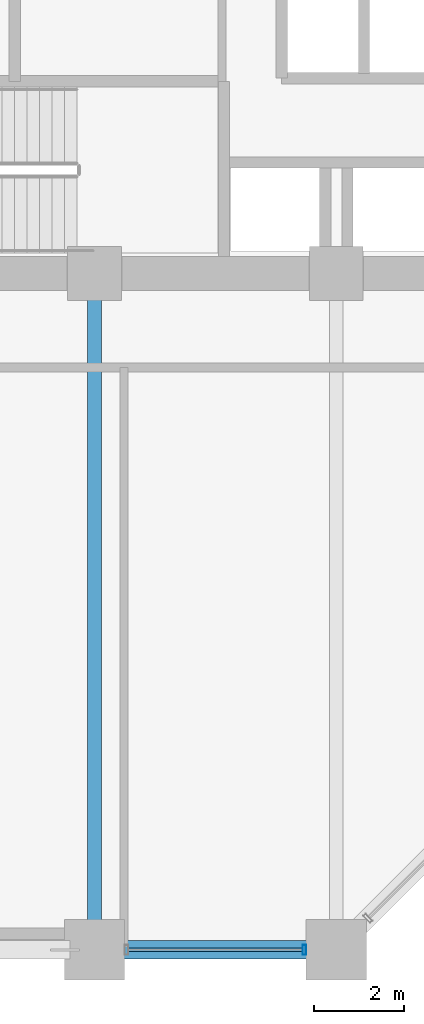
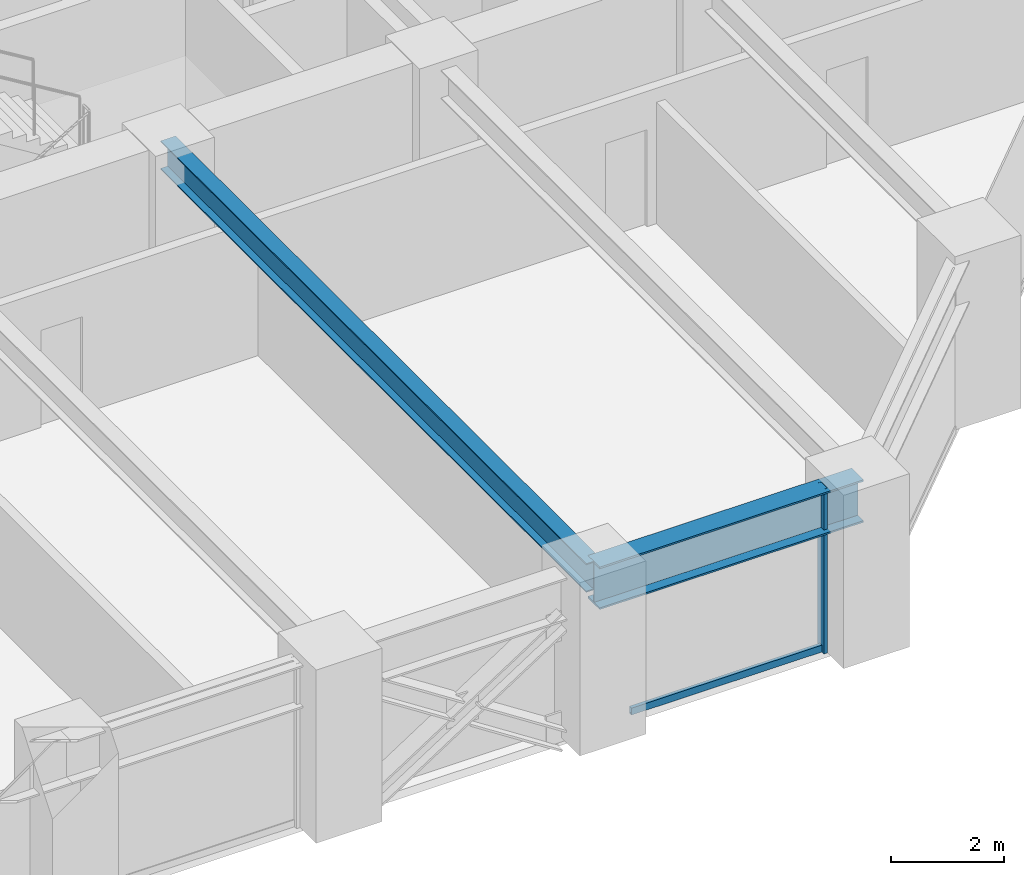
# One storey, part 5 of 24: 2 beams, 2 members, 1 element without a shape of its own.
"""IFC4 building model written with IfcOpenShell, lengths in metres."""

import ifcopenshell
import ifcopenshell.guid

model = None  # the IFC model being written
_history = None  # IfcOwnerHistory: only IFC2X3 demands one
_inside = {}  # id of a spatial element -> (the spatial element, [elements in it])
_under = {}  # id of a project, library or spatial element -> (it, [spatial elements below it])
_declared = {}  # id of a project -> (the project, [libraries it declares])
_typed = {}  # id of a type object -> (the type object, [elements of that type])
_made_of = {}  # id of a material, layer set ... -> (it, [elements and type objects made of it])


def new_model(schema):
    """Start an empty IFC model of exactly this schema.

    Asked for "IFC4X3", IfcOpenShell would pick the latest addendum, in which some entities
    have other attributes; the version numbers below select the first issue.
    IFC2X3 requires an IfcOwnerHistory on every rooted entity: one is made here for all.
    """
    global model, _history
    if schema == "IFC4X3":
        model = ifcopenshell.file(schema_version=(4, 3, 0, 0))
    else:
        model = ifcopenshell.file(schema=schema)
    _inside.clear()
    _under.clear()
    _declared.clear()
    _typed.clear()
    _made_of.clear()
    _history = None
    if model.schema == "IFC2X3":
        org = make("IfcOrganization", Name="unknown")
        user = make(
            "IfcPersonAndOrganization",
            ThePerson=make("IfcPerson", FamilyName="unknown"),
            TheOrganization=org,
        )
        app = make(
            "IfcApplication",
            ApplicationDeveloper=org,
            Version="unknown",
            ApplicationFullName="unknown",
            ApplicationIdentifier="unknown",
        )
        _history = make(
            "IfcOwnerHistory",
            OwningUser=user,
            OwningApplication=app,
            ChangeAction="ADDED",
            CreationDate=0,
        )
    return model


def make(cls, **values):
    """One entity of the class cls with the attributes given. An attribute that is None is left unset."""
    return model.create_entity(
        cls, **{name: value for name, value in values.items() if value is not None}
    )


def rooted(cls, **values):
    """An entity with a GlobalId (a new one), such as an element, a storey or a relation."""
    return make(cls, GlobalId=ifcopenshell.guid.new(), OwnerHistory=_history, **values)


def si_unit(unit_type, name, prefix=None):
    """IfcSIUnit, for example si_unit("LENGTHUNIT", "METRE", prefix="MILLI")."""
    return make("IfcSIUnit", UnitType=unit_type, Prefix=prefix, Name=name)


def assignment(units):
    """IfcUnitAssignment: the units of a project."""
    return None if units is None else make("IfcUnitAssignment", Units=units)


def point(xyz):
    """IfcCartesianPoint."""
    return None if xyz is None else make("IfcCartesianPoint", Coordinates=xyz)


def direction(xyz):
    """IfcDirection."""
    return None if xyz is None else make("IfcDirection", DirectionRatios=xyz)


def frame(location, z_axis=None, x_axis=None):
    """IfcAxis2Placement3D, a coordinate frame: its origin and axes. An axis left out is left unset."""
    return make(
        "IfcAxis2Placement3D",
        Location=point(location),
        Axis=direction(z_axis),
        RefDirection=direction(x_axis),
    )


def frame_2d(location, x_axis=None):
    """IfcAxis2Placement2D, a coordinate frame in the plane: its origin and x axis."""
    return make(
        "IfcAxis2Placement2D", Location=point(location), RefDirection=direction(x_axis)
    )


def origin():
    """The frame at (0, 0, 0) with its axes left unset."""
    return frame((0.0, 0.0, 0.0))


def origin_2d():
    """The frame at (0, 0) in the plane with its x axis left unset."""
    return frame_2d((0.0, 0.0))


def place(relative_to, where):
    """IfcLocalPlacement: puts the frame where relative to a parent placement (None: the world)."""
    return make(
        "IfcLocalPlacement", PlacementRelTo=relative_to, RelativePlacement=where
    )


def context(
    kind, dimensions, precision=None, world=None, true_north=None, identifier=None
):
    """IfcGeometricRepresentationContext, for example the 3D "Model" context."""
    return make(
        "IfcGeometricRepresentationContext",
        ContextIdentifier=identifier,
        ContextType=kind,
        CoordinateSpaceDimension=dimensions,
        Precision=precision,
        WorldCoordinateSystem=world,
        TrueNorth=true_north,
    )


def subcontext(parent, identifier, kind, view, scale=None):
    """IfcGeometricRepresentationSubContext, for example "Body" below "Model"."""
    return make(
        "IfcGeometricRepresentationSubContext",
        ContextIdentifier=identifier,
        ContextType=kind,
        ParentContext=parent,
        TargetScale=scale,
        TargetView=view,
    )


def project(units=None, contexts=None):
    """IfcProject with its units and contexts."""
    return rooted(
        "IfcProject",
        Name="project",
        RepresentationContexts=contexts,
        UnitsInContext=assignment(units),
    )


def spatial(cls, under=None, at=None, **own):
    """A site, building, storey or space (cls), placed at a placement, below another one or the project."""
    s = rooted(cls, ObjectPlacement=at, **own)
    if under is not None:
        _under.setdefault(under.id(), (under, []))[1].append(s)
    return s


def profile(cls, at=None, kind="AREA", **sizes):
    """A parametric profile (cls). Its sizes go by their IFC names, for example OverallWidth=200.0."""
    return make(cls, ProfileType=kind, Position=at, **sizes)


def hollow_rectangle(**sizes):
    """IfcRectangleHollowProfileDef."""
    return profile("IfcRectangleHollowProfileDef", **sizes)


def i_section(**sizes):
    """IfcIShapeProfileDef."""
    return profile("IfcIShapeProfileDef", **sizes)


def extrude(swept, where, along, depth):
    """IfcExtrudedAreaSolid: the profile swept, set in the frame where, extruded along a direction by depth."""
    return make(
        "IfcExtrudedAreaSolid",
        SweptArea=swept,
        Position=where,
        ExtrudedDirection=direction(along),
        Depth=depth,
    )


def shape(context_of_items, identifier, shape_type, items):
    """IfcShapeRepresentation: the items that make up one representation, for example the "Body"."""
    return make(
        "IfcShapeRepresentation",
        ContextOfItems=context_of_items,
        RepresentationIdentifier=identifier,
        RepresentationType=shape_type,
        Items=items,
    )


def material(Name=None, Category=None):
    """IfcMaterial."""
    return make("IfcMaterial", Name=Name, Category=Category)


def layer(
    of_material, thickness, ventilated=None, Name=None, Category=None, Priority=None
):
    """IfcMaterialLayer: one layer of a wall or slab, of a material (None: an air gap)."""
    return make(
        "IfcMaterialLayer",
        Material=of_material,
        LayerThickness=thickness,
        IsVentilated=ventilated,
        Name=Name,
        Category=Category,
        Priority=Priority,
    )


def layer_set(layers, Name=None):
    """IfcMaterialLayerSet."""
    return make("IfcMaterialLayerSet", MaterialLayers=layers, LayerSetName=Name)


def material_profile(
    of_material, cross_section, Name=None, Category=None, Priority=None
):
    """IfcMaterialProfile: a cross section and its material."""
    return make(
        "IfcMaterialProfile",
        Name=Name,
        Material=of_material,
        Profile=cross_section,
        Priority=Priority,
        Category=Category,
    )


def profile_set(profiles, Name=None, composite=None):
    """IfcMaterialProfileSet."""
    return make(
        "IfcMaterialProfileSet",
        Name=Name,
        MaterialProfiles=profiles,
        CompositeProfile=composite,
    )


def made_of(thing, what):
    """Note that an element or type object is made of a material, layer set ...; save() writes the relation."""
    if what is not None:
        _made_of.setdefault(what.id(), (what, []))[1].append(thing)
    return thing


def type_object(cls, material=None, **own):
    """A type object (cls), such as IfcWallType, which elements share."""
    return made_of(rooted(cls, **own), material)


def element(
    cls,
    number,
    at=None,
    inside=None,
    cuts=None,
    type_object=None,
    material=None,
    context=None,
    identifier="Body",
    shape_type=None,
    held_by="IfcProductDefinitionShape",
    body=None,
    shapes=None,
    **own,
):
    """One element of the class cls, such as IfcWall. Its Tag is "e" and its number.

    at: its placement. inside: the storey or other place that contains it. cuts: it is an
    opening in that element (IfcRelVoidsElement). A single representation is given by context,
    identifier, shape_type and body (its items); several are given by shapes. held_by: the class
    of the entity that holds the representations. save() writes the other relations.
    """
    e = rooted(cls, Tag="e%d" % number, ObjectPlacement=at, **own)
    if body is not None:
        shapes = [shape(context, identifier, shape_type, body)]
    if shapes is not None:
        e.Representation = make(held_by, Representations=shapes)
    if inside is not None:
        _inside.setdefault(inside.id(), (inside, []))[1].append(e)
    if cuts is not None:
        rooted(
            "IfcRelVoidsElement", RelatingBuildingElement=cuts, RelatedOpeningElement=e
        )
    if type_object is not None:
        _typed.setdefault(type_object.id(), (type_object, []))[1].append(e)
    return made_of(e, material)


def aggregate(whole, parts):
    """IfcRelAggregates: a whole, such as a stair, and the parts it consists of."""
    return rooted("IfcRelAggregates", RelatingObject=whole, RelatedObjects=parts)


def save(model, path):
    """Write the relations noted so far, then the file.

    IfcRelAggregates (storeys below a building ...), IfcRelContainedInSpatialStructure (elements
    in a storey), IfcRelDefinesByType, IfcRelAssociatesMaterial and IfcRelDeclares: one each for
    every whole, place, type object, material and project.
    """
    for whole, parts in _under.values():
        aggregate(whole, parts)
    for where, things in _inside.values():
        rooted(
            "IfcRelContainedInSpatialStructure",
            RelatedElements=things,
            RelatingStructure=where,
        )
    for kind, things in _typed.values():
        rooted("IfcRelDefinesByType", RelatedObjects=things, RelatingType=kind)
    for what, things in _made_of.values():
        rooted("IfcRelAssociatesMaterial", RelatedObjects=things, RelatingMaterial=what)
    for by, libraries in _declared.values():
        rooted("IfcRelDeclares", RelatingContext=by, RelatedDefinitions=libraries)
    model.write(path)


model = new_model("IFC4")

# Units and contexts
model_context = context("Model", 3, precision=1e-05, world=origin(), true_north=direction((0.0, 1.0)))
body_context = subcontext(model_context, "Body", "Model", "MODEL_VIEW")
ifc_project = project(units=[si_unit("LENGTHUNIT", "METRE"), si_unit("AREAUNIT", "SQUARE_METRE"), si_unit("VOLUMEUNIT", "CUBIC_METRE"), si_unit("PLANEANGLEUNIT", "RADIAN"), si_unit("MASSUNIT", "GRAM", prefix="KILO")], contexts=[model_context])

# Site, building, storey
site_placement = place(None, origin())
site = spatial("IfcSite", under=ifc_project, at=site_placement, CompositionType="ELEMENT")
building_placement = place(site_placement, origin())
building = spatial("IfcBuilding", under=site, at=building_placement, Name="Surkhivell Harbour Commons", CompositionType="ELEMENT")
storey_placement = place(building_placement, frame((0.0, 0.0, 26.25)))
storey = spatial("IfcBuildingStorey", under=building, at=storey_placement, Name="L06", CompositionType="ELEMENT", Elevation=26.25)

# Beams
ifc_material_1 = material(Name="Steel S355", Category="steel")
ifc_material_profile_1 = material_profile(ifc_material_1, i_section(OverallWidth=0.306884765625, OverallDepth=0.6201171875, WebThickness=0.01416015625, FlangeThickness=0.023681640625, at=origin_2d()), Name="UB610x305x179")
ifc_profile_set_1 = profile_set([ifc_material_profile_1], Name="Steel S355")
beam_type_1 = type_object("IfcBeamType", Name="BM-GRD-610A", PredefinedType="BEAM", material=ifc_profile_set_1)
beam_1_placement = place(storey_placement, frame((-5.39990234375, -25.89990234375, 3.260009765625), z_axis=(0.0, 1.0, 0.0), x_axis=(-1.0, 0.0, 0.0)))
element("IfcBeam", 1, at=beam_1_placement, inside=storey, type_object=beam_type_1, Name="L06 Floor Girder (-5.4,-25.9)", PredefinedType="BEAM", context=body_context, shape_type="SweptSolid", body=[
    extrude(i_section(OverallWidth=0.306884765625, OverallDepth=0.6201171875, WebThickness=0.01416015625, FlangeThickness=0.023681640625, at=origin_2d()), origin(), (0.0, 0.0, 1.0), 15.099853515625),
])
ifc_material_2 = material(Name="Steel S460", Category="steel")
ifc_material_profile_2 = material_profile(ifc_material_2, i_section(OverallWidth=0.419921875, OverallDepth=0.9208984375, WebThickness=0.021484375, FlangeThickness=0.03662109375, at=origin_2d()), Name="UB914x419x388")
ifc_profile_set_2 = profile_set([ifc_material_profile_2], Name="Steel S460")
beam_type_2 = type_object("IfcBeamType", Name="BM-SPN-914A", PredefinedType="SPANDREL", material=ifc_profile_set_2)
beam_2_placement = place(storey_placement, frame((-5.39990234375, -25.89990234375, 3.109619140625), z_axis=(1.0, 0.0, 0.0), x_axis=(0.0, 1.0, 0.0)))
element("IfcBeam", 2, at=beam_2_placement, inside=storey, type_object=beam_type_2, Name="L06 Tube Spandrel (-5.4,-25.9)", PredefinedType="SPANDREL", context=body_context, shape_type="SweptSolid", body=[
    extrude(i_section(OverallWidth=0.419921875, OverallDepth=0.9208984375, WebThickness=0.021484375, FlangeThickness=0.03662109375, at=origin_2d()), origin(), (0.0, 0.0, 1.0), 5.39990234375),
])

# Curtain wall, members
ifc_material_3 = material(Name="Anodised pale-metal aluminium and insulated glazing", Category="aluminium")
ifc_layer = layer(ifc_material_3, 0.219970703125)
ifc_layer_set = layer_set([ifc_layer], Name="Anodised pale-metal aluminium and insulated glazing")
curtain_wall_type = type_object("IfcCurtainWallType", Name="CW-SYS-Z1", PredefinedType="NOTDEFINED", material=ifc_layer_set)
curtain_wall_placement = place(storey_placement, origin())
curtain_wall = element("IfcCurtainWall", 3, at=curtain_wall_placement, inside=storey, type_object=curtain_wall_type, Name="L06 Curtain Wall CW-L06-E00S2", PredefinedType="NOTDEFINED")
ifc_material_4 = material(Name="Anodised pale-metal aluminium alloy 6063-T6", Category="aluminium")
ifc_material_profile_3 = material_profile(ifc_material_4, hollow_rectangle(XDim=0.074951171875, YDim=0.219970703125, WallThickness=0.00390625, at=origin_2d()), Name="ALU-MULL-75x220")
ifc_profile_set_3 = profile_set([ifc_material_profile_3], Name="Anodised pale-metal aluminium alloy 6063-T6")
member_type_1 = type_object("IfcMemberType", Name="CWM-220", PredefinedType="MULLION", material=ifc_profile_set_3)
member_1_placement = place(storey_placement, frame((-0.714599609375, -25.89990234375, 0.0), z_axis=(0.0, 0.0, 1.0), x_axis=(1.0, 0.0, 0.0)))
member_1 = element("IfcMember", 4, at=member_1_placement, type_object=member_type_1, Name="CW-Z1 mullion 2", PredefinedType="MULLION", context=body_context, shape_type="SweptSolid", body=[
    extrude(hollow_rectangle(XDim=0.074951171875, YDim=0.219970703125, WallThickness=0.00390625, at=origin_2d()), origin(), (0.0, 0.0, 1.0), 3.570068359375),
])
ifc_material_profile_4 = material_profile(ifc_material_4, hollow_rectangle(XDim=0.074951171875, YDim=0.14990234375, WallThickness=0.00341796875, at=origin_2d()), Name="ALU-TRAN-75x150")
ifc_profile_set_4 = profile_set([ifc_material_profile_4], Name="Anodised pale-metal aluminium alloy 6063-T6")
member_type_2 = type_object("IfcMemberType", Name="CWT-150", PredefinedType="USERDEFINED", material=ifc_profile_set_4)
member_2_placement = place(storey_placement, frame((-4.64794921875, -25.89990234375, 0.074951171875), z_axis=(1.0, 0.0, 0.0), x_axis=(0.0, 1.0, 0.0)))
member_2 = element("IfcMember", 5, at=member_2_placement, type_object=member_type_2, Name="CW-Z1 transom 1.1", ObjectType="TRANSOM", PredefinedType="USERDEFINED", context=body_context, shape_type="SweptSolid", body=[
    extrude(hollow_rectangle(XDim=0.074951171875, YDim=0.14990234375, WallThickness=0.00341796875, at=origin_2d()), origin(), (0.0, 0.0, 1.0), 3.89599609375),
])
aggregate(curtain_wall, [member_1, member_2])

save(model, "model.ifc")
